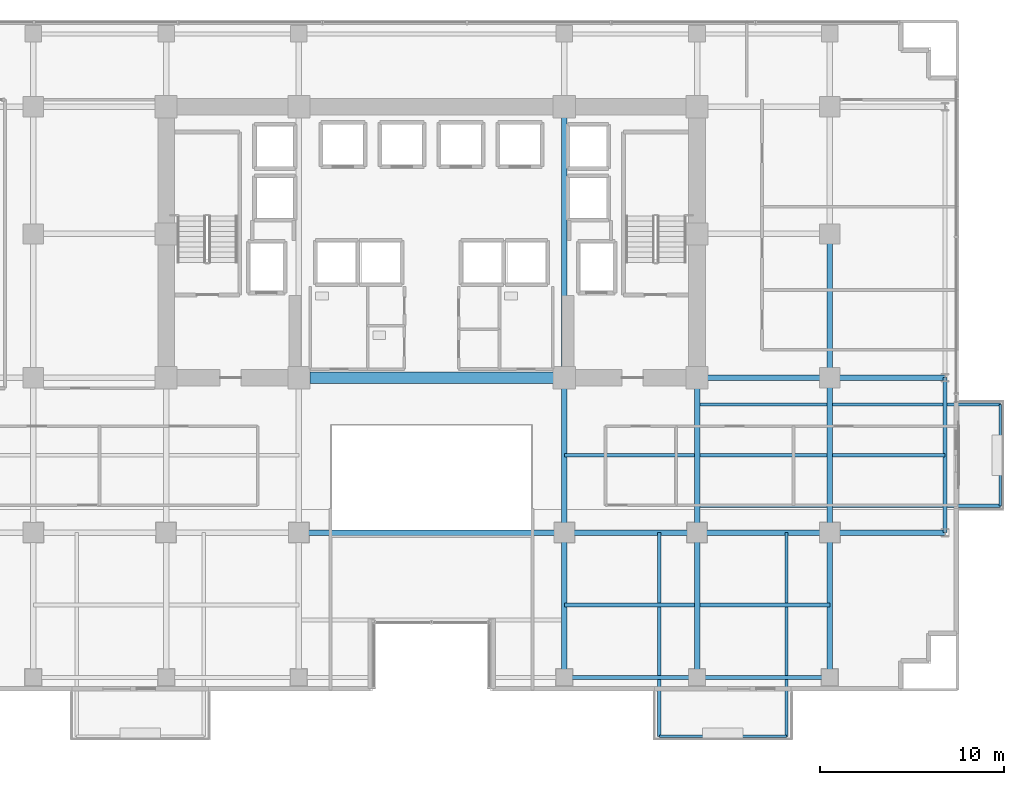
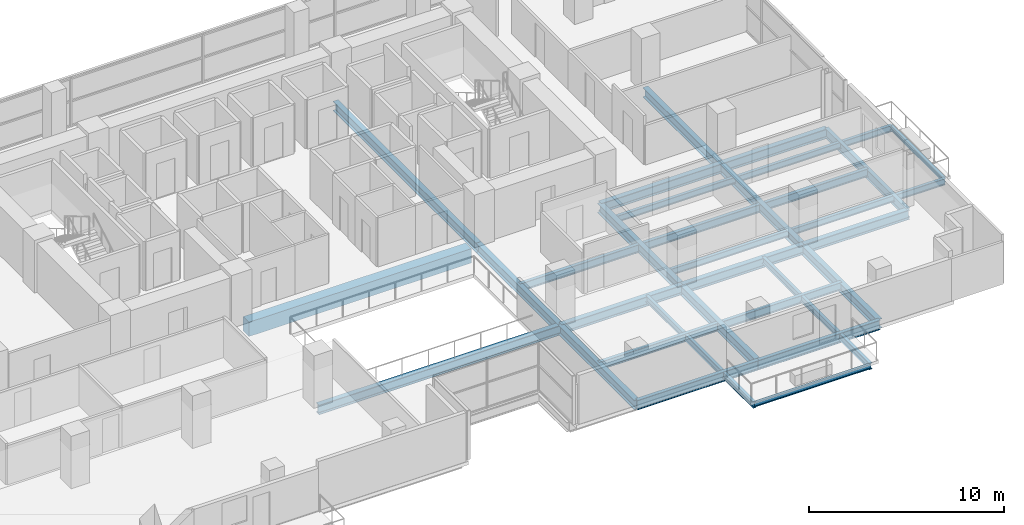
# One storey, part 13 of 30: 29 beams.
"""IFC4 building model written with IfcOpenShell, lengths in metres."""

import ifcopenshell
import ifcopenshell.guid

model = None  # the IFC model being written
_history = None  # IfcOwnerHistory: only IFC2X3 demands one
_inside = {}  # id of a spatial element -> (the spatial element, [elements in it])
_under = {}  # id of a project, library or spatial element -> (it, [spatial elements below it])
_declared = {}  # id of a project -> (the project, [libraries it declares])
_typed = {}  # id of a type object -> (the type object, [elements of that type])
_made_of = {}  # id of a material, layer set ... -> (it, [elements and type objects made of it])


def new_model(schema):
    """Start an empty IFC model of exactly this schema.

    Asked for "IFC4X3", IfcOpenShell would pick the latest addendum, in which some entities
    have other attributes; the version numbers below select the first issue.
    IFC2X3 requires an IfcOwnerHistory on every rooted entity: one is made here for all.
    """
    global model, _history
    if schema == "IFC4X3":
        model = ifcopenshell.file(schema_version=(4, 3, 0, 0))
    else:
        model = ifcopenshell.file(schema=schema)
    _inside.clear()
    _under.clear()
    _declared.clear()
    _typed.clear()
    _made_of.clear()
    _history = None
    if model.schema == "IFC2X3":
        org = make("IfcOrganization", Name="unknown")
        user = make(
            "IfcPersonAndOrganization",
            ThePerson=make("IfcPerson", FamilyName="unknown"),
            TheOrganization=org,
        )
        app = make(
            "IfcApplication",
            ApplicationDeveloper=org,
            Version="unknown",
            ApplicationFullName="unknown",
            ApplicationIdentifier="unknown",
        )
        _history = make(
            "IfcOwnerHistory",
            OwningUser=user,
            OwningApplication=app,
            ChangeAction="ADDED",
            CreationDate=0,
        )
    return model


def make(cls, **values):
    """One entity of the class cls with the attributes given. An attribute that is None is left unset."""
    return model.create_entity(
        cls, **{name: value for name, value in values.items() if value is not None}
    )


def rooted(cls, **values):
    """An entity with a GlobalId (a new one), such as an element, a storey or a relation."""
    return make(cls, GlobalId=ifcopenshell.guid.new(), OwnerHistory=_history, **values)


def si_unit(unit_type, name, prefix=None):
    """IfcSIUnit, for example si_unit("LENGTHUNIT", "METRE", prefix="MILLI")."""
    return make("IfcSIUnit", UnitType=unit_type, Prefix=prefix, Name=name)


def assignment(units):
    """IfcUnitAssignment: the units of a project."""
    return None if units is None else make("IfcUnitAssignment", Units=units)


def point(xyz):
    """IfcCartesianPoint."""
    return None if xyz is None else make("IfcCartesianPoint", Coordinates=xyz)


def direction(xyz):
    """IfcDirection."""
    return None if xyz is None else make("IfcDirection", DirectionRatios=xyz)


def frame(location, z_axis=None, x_axis=None):
    """IfcAxis2Placement3D, a coordinate frame: its origin and axes. An axis left out is left unset."""
    return make(
        "IfcAxis2Placement3D",
        Location=point(location),
        Axis=direction(z_axis),
        RefDirection=direction(x_axis),
    )


def frame_2d(location, x_axis=None):
    """IfcAxis2Placement2D, a coordinate frame in the plane: its origin and x axis."""
    return make(
        "IfcAxis2Placement2D", Location=point(location), RefDirection=direction(x_axis)
    )


def origin():
    """The frame at (0, 0, 0) with its axes left unset."""
    return frame((0.0, 0.0, 0.0))


def origin_2d():
    """The frame at (0, 0) in the plane with its x axis left unset."""
    return frame_2d((0.0, 0.0))


def place(relative_to, where):
    """IfcLocalPlacement: puts the frame where relative to a parent placement (None: the world)."""
    return make(
        "IfcLocalPlacement", PlacementRelTo=relative_to, RelativePlacement=where
    )


def context(
    kind, dimensions, precision=None, world=None, true_north=None, identifier=None
):
    """IfcGeometricRepresentationContext, for example the 3D "Model" context."""
    return make(
        "IfcGeometricRepresentationContext",
        ContextIdentifier=identifier,
        ContextType=kind,
        CoordinateSpaceDimension=dimensions,
        Precision=precision,
        WorldCoordinateSystem=world,
        TrueNorth=true_north,
    )


def subcontext(parent, identifier, kind, view, scale=None):
    """IfcGeometricRepresentationSubContext, for example "Body" below "Model"."""
    return make(
        "IfcGeometricRepresentationSubContext",
        ContextIdentifier=identifier,
        ContextType=kind,
        ParentContext=parent,
        TargetScale=scale,
        TargetView=view,
    )


def project(units=None, contexts=None):
    """IfcProject with its units and contexts."""
    return rooted(
        "IfcProject",
        Name="project",
        RepresentationContexts=contexts,
        UnitsInContext=assignment(units),
    )


def spatial(cls, under=None, at=None, **own):
    """A site, building, storey or space (cls), placed at a placement, below another one or the project."""
    s = rooted(cls, ObjectPlacement=at, **own)
    if under is not None:
        _under.setdefault(under.id(), (under, []))[1].append(s)
    return s


def profile(cls, at=None, kind="AREA", **sizes):
    """A parametric profile (cls). Its sizes go by their IFC names, for example OverallWidth=200.0."""
    return make(cls, ProfileType=kind, Position=at, **sizes)


def rectangle(**sizes):
    """IfcRectangleProfileDef."""
    return profile("IfcRectangleProfileDef", **sizes)


def i_section(**sizes):
    """IfcIShapeProfileDef."""
    return profile("IfcIShapeProfileDef", **sizes)


def extrude(swept, where, along, depth):
    """IfcExtrudedAreaSolid: the profile swept, set in the frame where, extruded along a direction by depth."""
    return make(
        "IfcExtrudedAreaSolid",
        SweptArea=swept,
        Position=where,
        ExtrudedDirection=direction(along),
        Depth=depth,
    )


def shape(context_of_items, identifier, shape_type, items):
    """IfcShapeRepresentation: the items that make up one representation, for example the "Body"."""
    return make(
        "IfcShapeRepresentation",
        ContextOfItems=context_of_items,
        RepresentationIdentifier=identifier,
        RepresentationType=shape_type,
        Items=items,
    )


def material(Name=None, Category=None):
    """IfcMaterial."""
    return make("IfcMaterial", Name=Name, Category=Category)


def material_profile(
    of_material, cross_section, Name=None, Category=None, Priority=None
):
    """IfcMaterialProfile: a cross section and its material."""
    return make(
        "IfcMaterialProfile",
        Name=Name,
        Material=of_material,
        Profile=cross_section,
        Priority=Priority,
        Category=Category,
    )


def profile_set(profiles, Name=None, composite=None):
    """IfcMaterialProfileSet."""
    return make(
        "IfcMaterialProfileSet",
        Name=Name,
        MaterialProfiles=profiles,
        CompositeProfile=composite,
    )


def made_of(thing, what):
    """Note that an element or type object is made of a material, layer set ...; save() writes the relation."""
    if what is not None:
        _made_of.setdefault(what.id(), (what, []))[1].append(thing)
    return thing


def type_object(cls, material=None, **own):
    """A type object (cls), such as IfcWallType, which elements share."""
    return made_of(rooted(cls, **own), material)


def element(
    cls,
    number,
    at=None,
    inside=None,
    cuts=None,
    type_object=None,
    material=None,
    context=None,
    identifier="Body",
    shape_type=None,
    held_by="IfcProductDefinitionShape",
    body=None,
    shapes=None,
    **own,
):
    """One element of the class cls, such as IfcWall. Its Tag is "e" and its number.

    at: its placement. inside: the storey or other place that contains it. cuts: it is an
    opening in that element (IfcRelVoidsElement). A single representation is given by context,
    identifier, shape_type and body (its items); several are given by shapes. held_by: the class
    of the entity that holds the representations. save() writes the other relations.
    """
    e = rooted(cls, Tag="e%d" % number, ObjectPlacement=at, **own)
    if body is not None:
        shapes = [shape(context, identifier, shape_type, body)]
    if shapes is not None:
        e.Representation = make(held_by, Representations=shapes)
    if inside is not None:
        _inside.setdefault(inside.id(), (inside, []))[1].append(e)
    if cuts is not None:
        rooted(
            "IfcRelVoidsElement", RelatingBuildingElement=cuts, RelatedOpeningElement=e
        )
    if type_object is not None:
        _typed.setdefault(type_object.id(), (type_object, []))[1].append(e)
    return made_of(e, material)


def aggregate(whole, parts):
    """IfcRelAggregates: a whole, such as a stair, and the parts it consists of."""
    return rooted("IfcRelAggregates", RelatingObject=whole, RelatedObjects=parts)


def save(model, path):
    """Write the relations noted so far, then the file.

    IfcRelAggregates (storeys below a building ...), IfcRelContainedInSpatialStructure (elements
    in a storey), IfcRelDefinesByType, IfcRelAssociatesMaterial and IfcRelDeclares: one each for
    every whole, place, type object, material and project.
    """
    for whole, parts in _under.values():
        aggregate(whole, parts)
    for where, things in _inside.values():
        rooted(
            "IfcRelContainedInSpatialStructure",
            RelatedElements=things,
            RelatingStructure=where,
        )
    for kind, things in _typed.values():
        rooted("IfcRelDefinesByType", RelatedObjects=things, RelatingType=kind)
    for what, things in _made_of.values():
        rooted("IfcRelAssociatesMaterial", RelatedObjects=things, RelatingMaterial=what)
    for by, libraries in _declared.values():
        rooted("IfcRelDeclares", RelatingContext=by, RelatedDefinitions=libraries)
    model.write(path)


model = new_model("IFC4")

# Units and contexts
model_context = context("Model", 3, precision=1e-05, world=origin(), true_north=direction((0.0, 1.0)))
body_context = subcontext(model_context, "Body", "Model", "MODEL_VIEW")
ifc_project = project(units=[si_unit("LENGTHUNIT", "METRE"), si_unit("AREAUNIT", "SQUARE_METRE"), si_unit("VOLUMEUNIT", "CUBIC_METRE"), si_unit("PLANEANGLEUNIT", "RADIAN"), si_unit("MASSUNIT", "GRAM", prefix="KILO")], contexts=[model_context])

# Site, building, storey
site_placement = place(None, origin())
site = spatial("IfcSite", under=ifc_project, at=site_placement, CompositionType="ELEMENT")
building_placement = place(site_placement, origin())
building = spatial("IfcBuilding", under=site, at=building_placement, Name="Zarnakvel Exchange Tower", CompositionType="ELEMENT")
storey_placement = place(building_placement, frame((0.0, 0.0, 43.89990234375)))
storey = spatial("IfcBuildingStorey", under=building, at=storey_placement, Name="L11", CompositionType="ELEMENT", Elevation=43.89990234375)

# Beams
ifc_material_1 = material(Name="Steel S355", Category="steel")
ifc_material_profile_1 = material_profile(ifc_material_1, i_section(OverallWidth=0.199951171875, OverallDepth=0.5, WebThickness=0.01025390625, FlangeThickness=0.01611328125, FilletRadius=0.02099609375, at=origin_2d()))
ifc_profile_set_1 = profile_set([ifc_material_profile_1], Name="Steel S355")
beam_type_1 = type_object("IfcBeamType", Name="B-04", PredefinedType="JOIST", material=ifc_profile_set_1)
for number, where, z_axis, x_axis, name in (
    (1, (7.199951171875, -13.52490234375, -0.474853515625), (1.0, 0.0, 0.0), (0.0, 1.0, 0.0), "L11 Composite Floor Secondary Joist"),
    (2, (14.550048828125, -13.52490234375, -0.474853515625), (1.0, 0.0, 0.0), (0.0, 1.0, 0.0), "L11 Composite Floor Secondary Joist"),
    (3, (7.199951171875, -5.39990234375, -0.474853515625), (1.0, 0.0, 0.0), (0.0, 1.0, 0.0), "L11 Composite Floor Secondary Joist"),
):
    element("IfcBeam", number, at=place(storey_placement, frame(where, z_axis=z_axis, x_axis=x_axis)), inside=storey, type_object=beam_type_1, Name=name, PredefinedType="JOIST", context=body_context, shape_type="SweptSolid", body=[
        extrude(i_section(OverallWidth=0.199951171875, OverallDepth=0.5, WebThickness=0.01025390625, FlangeThickness=0.01611328125, FilletRadius=0.02099609375, at=origin_2d()), origin(), (0.0, 0.0, 1.0), 7.050048828125),
    ])
beam_1_placement = place(storey_placement, frame((14.550048828125, -5.39990234375, -0.474853515625), z_axis=(1.0, 0.0, 0.0), x_axis=(0.0, 1.0, 0.0)))
element("IfcBeam", 4, at=beam_1_placement, inside=storey, type_object=beam_type_1, Name="L11 Composite Floor Secondary Joist", PredefinedType="JOIST", context=body_context, shape_type="SweptSolid", body=[
    extrude(i_section(OverallWidth=0.199951171875, OverallDepth=0.5, WebThickness=0.01025390625, FlangeThickness=0.01611328125, FilletRadius=0.02099609375, at=origin_2d()), origin(), (0.0, 0.0, 1.0), 6.89990234375),
])
beam_2_placement = place(storey_placement, frame((21.75, -5.39990234375, -0.474853515625), z_axis=(1.0, 0.0, 0.0), x_axis=(0.0, 1.0, 0.0)))
element("IfcBeam", 5, at=beam_2_placement, inside=storey, type_object=beam_type_1, Name="L11 Composite Floor Secondary Joist", PredefinedType="JOIST", context=body_context, shape_type="SweptSolid", body=[
    extrude(i_section(OverallWidth=0.199951171875, OverallDepth=0.5, WebThickness=0.01025390625, FlangeThickness=0.01611328125, FilletRadius=0.02099609375, at=origin_2d()), origin(), (0.0, 0.0, 1.0), 6.10009765625),
])
ifc_material_profile_2 = material_profile(ifc_material_1, i_section(OverallWidth=0.179931640625, OverallDepth=0.39990234375, WebThickness=0.008544921875, FlangeThickness=0.013427734375, FilletRadius=0.02099609375, at=origin_2d()))
ifc_profile_set_2 = profile_set([ifc_material_profile_2], Name="Steel S355")
beam_type_2 = type_object("IfcBeamType", Name="B-06", PredefinedType="JOIST", material=ifc_profile_set_2)
for number, where, z_axis, x_axis, name in (
    (6, (12.35009765625, -9.60009765625, -0.4248046875), (0.0, -1.0, 0.0), (1.0, 0.0, 0.0), "L11 Continuous Back-Spanned Balcony Beam W"),
    (7, (19.25, -9.60009765625, -0.4248046875), (0.0, -1.0, 0.0), (1.0, 0.0, 0.0), "L11 Continuous Back-Spanned Balcony Beam E"),
):
    element("IfcBeam", number, at=place(storey_placement, frame(where, z_axis=z_axis, x_axis=x_axis)), inside=storey, type_object=beam_type_2, Name=name, PredefinedType="JOIST", context=body_context, shape_type="SweptSolid", body=[
        extrude(i_section(OverallWidth=0.179931640625, OverallDepth=0.39990234375, WebThickness=0.008544921875, FlangeThickness=0.013427734375, FilletRadius=0.02099609375, at=origin_2d()), origin(), (0.0, 0.0, 1.0), 11.0498046875),
    ])
for number, where, z_axis, x_axis, name in (
    (8, (14.39990234375, -8.14990234375, -0.4248046875), (1.0, 0.0, 0.0), (0.0, 1.0, 0.0), "L11 Continuous East Loggia Beam S"),
    (9, (14.39990234375, -2.64990234375, -0.4248046875), (1.0, 0.0, 0.0), (0.0, 1.0, 0.0), "L11 Continuous East Loggia Beam N"),
):
    element("IfcBeam", number, at=place(storey_placement, frame(where, z_axis=z_axis, x_axis=x_axis)), inside=storey, type_object=beam_type_2, Name=name, PredefinedType="JOIST", context=body_context, shape_type="SweptSolid", body=[
        extrude(i_section(OverallWidth=0.179931640625, OverallDepth=0.39990234375, WebThickness=0.008544921875, FlangeThickness=0.013427734375, FilletRadius=0.02099609375, at=origin_2d()), origin(), (0.0, 0.0, 1.0), 16.4501953125),
    ])
ifc_material_profile_3 = material_profile(ifc_material_1, i_section(OverallWidth=0.14990234375, OverallDepth=0.300048828125, WebThickness=0.007080078125, FlangeThickness=0.0107421875, FilletRadius=0.014892578125, at=origin_2d()))
ifc_profile_set_3 = profile_set([ifc_material_profile_3], Name="Steel S355")
beam_type_3 = type_object("IfcBeamType", Name="B-08", PredefinedType="JOIST", material=ifc_profile_set_3)
beam_3_placement = place(storey_placement, frame((12.35009765625, -20.64990234375, -0.375), z_axis=(1.0, 0.0, 0.0), x_axis=(0.0, 1.0, 0.0)))
element("IfcBeam", 10, at=beam_3_placement, inside=storey, type_object=beam_type_3, Name="L11 Balcony Edge Beam", PredefinedType="JOIST", context=body_context, shape_type="SweptSolid", body=[
    extrude(i_section(OverallWidth=0.14990234375, OverallDepth=0.300048828125, WebThickness=0.007080078125, FlangeThickness=0.0107421875, FilletRadius=0.014892578125, at=origin_2d()), origin(), (0.0, 0.0, 1.0), 6.89990234375),
])
beam_4_placement = place(storey_placement, frame((30.85009765625, -8.14990234375, -0.375), z_axis=(0.0, 1.0, 0.0), x_axis=(-1.0, 0.0, 0.0)))
element("IfcBeam", 11, at=beam_4_placement, inside=storey, type_object=beam_type_3, Name="L11 East Loggia Edge Beam", PredefinedType="JOIST", context=body_context, shape_type="SweptSolid", body=[
    extrude(i_section(OverallWidth=0.14990234375, OverallDepth=0.300048828125, WebThickness=0.007080078125, FlangeThickness=0.0107421875, FilletRadius=0.014892578125, at=origin_2d()), origin(), (0.0, 0.0, 1.0), 5.5),
])
ifc_material_2 = material(Name="Concrete C80/95", Category="concrete")
ifc_material_profile_4 = material_profile(ifc_material_2, rectangle(XDim=0.60009765625, YDim=0.89990234375, at=origin_2d()))
ifc_profile_set_4 = profile_set([ifc_material_profile_4], Name="Concrete C80/95")
beam_type_4 = type_object("IfcBeamType", Name="CB-01", PredefinedType="LINTEL", material=ifc_profile_set_4)
beam_5_placement = place(storey_placement, frame((-6.60009765625, -1.199951171875, -0.6748046875), z_axis=(1.0, 0.0, 0.0), x_axis=(0.0, 1.0, 0.0)))
element("IfcBeam", 12, at=beam_5_placement, inside=storey, type_object=beam_type_4, Name="L11 Rear Core South Coupling Beam (CB-01)", PredefinedType="LINTEL", context=body_context, shape_type="SweptSolid", body=[
    extrude(rectangle(XDim=0.60009765625, YDim=0.89990234375, at=origin_2d()), origin(), (0.0, 0.0, 1.0), 13.2001953125),
])
ifc_material_profile_5 = material_profile(ifc_material_1, i_section(OverallWidth=0.300048828125, OverallDepth=0.60009765625, WebThickness=0.015380859375, FlangeThickness=0.030029296875, FilletRadius=0.027099609375, at=origin_2d()))
ifc_profile_set_5 = profile_set([ifc_material_profile_5], Name="Steel S355")
beam_type_5 = type_object("IfcBeamType", Name="G-04", PredefinedType="BEAM", material=ifc_profile_set_5)
beam_6_placement = place(storey_placement, frame((-7.199951171875, -9.60009765625, -0.52490234375), z_axis=(1.0, 0.0, 0.0), x_axis=(0.0, 1.0, 0.0)))
element("IfcBeam", 13, at=beam_6_placement, inside=storey, type_object=beam_type_5, Name="L11 Tower E-W Frame Beam", PredefinedType="BEAM", context=body_context, shape_type="SweptSolid", body=[
    extrude(i_section(OverallWidth=0.300048828125, OverallDepth=0.60009765625, WebThickness=0.015380859375, FlangeThickness=0.030029296875, FilletRadius=0.027099609375, at=origin_2d()), origin(), (0.0, 0.0, 1.0), 14.39990234375),
])
beam_7_placement = place(storey_placement, frame((7.199951171875, -9.60009765625, -0.52490234375), z_axis=(1.0, 0.0, 0.0), x_axis=(0.0, 1.0, 0.0)))
element("IfcBeam", 14, at=beam_7_placement, inside=storey, type_object=beam_type_5, Name="L11 Tower E-W Frame Beam", PredefinedType="BEAM", context=body_context, shape_type="SweptSolid", body=[
    extrude(i_section(OverallWidth=0.300048828125, OverallDepth=0.60009765625, WebThickness=0.015380859375, FlangeThickness=0.030029296875, FilletRadius=0.027099609375, at=origin_2d()), origin(), (0.0, 0.0, 1.0), 7.199951171875),
])
beam_8_placement = place(storey_placement, frame((14.39990234375, -9.60009765625, -0.52490234375), z_axis=(1.0, 0.0, 0.0), x_axis=(0.0, 1.0, 0.0)))
element("IfcBeam", 15, at=beam_8_placement, inside=storey, type_object=beam_type_5, Name="L11 Tower E-W Frame Beam", PredefinedType="BEAM", context=body_context, shape_type="SweptSolid", body=[
    extrude(i_section(OverallWidth=0.300048828125, OverallDepth=0.60009765625, WebThickness=0.015380859375, FlangeThickness=0.030029296875, FilletRadius=0.027099609375, at=origin_2d()), origin(), (0.0, 0.0, 1.0), 7.2001953125),
])
beam_9_placement = place(storey_placement, frame((21.60009765625, -9.60009765625, -0.52490234375), z_axis=(1.0, 0.0, 0.0), x_axis=(0.0, 1.0, 0.0)))
element("IfcBeam", 16, at=beam_9_placement, inside=storey, type_object=beam_type_5, Name="L11 Tower E-W Frame Beam", PredefinedType="BEAM", context=body_context, shape_type="SweptSolid", body=[
    extrude(i_section(OverallWidth=0.300048828125, OverallDepth=0.60009765625, WebThickness=0.015380859375, FlangeThickness=0.030029296875, FilletRadius=0.027099609375, at=origin_2d()), origin(), (0.0, 0.0, 1.0), 6.25),
])
beam_10_placement = place(storey_placement, frame((14.39990234375, -1.199951171875, -0.52490234375), z_axis=(1.0, 0.0, 0.0), x_axis=(0.0, 1.0, 0.0)))
element("IfcBeam", 17, at=beam_10_placement, inside=storey, type_object=beam_type_5, Name="L11 Tower E-W Frame Beam", PredefinedType="BEAM", context=body_context, shape_type="SweptSolid", body=[
    extrude(i_section(OverallWidth=0.300048828125, OverallDepth=0.60009765625, WebThickness=0.015380859375, FlangeThickness=0.030029296875, FilletRadius=0.027099609375, at=origin_2d()), origin(), (0.0, 0.0, 1.0), 7.2001953125),
])
beam_11_placement = place(storey_placement, frame((21.60009765625, -1.199951171875, -0.52490234375), z_axis=(1.0, 0.0, 0.0), x_axis=(0.0, 1.0, 0.0)))
element("IfcBeam", 18, at=beam_11_placement, inside=storey, type_object=beam_type_5, Name="L11 Tower E-W Frame Beam", PredefinedType="BEAM", context=body_context, shape_type="SweptSolid", body=[
    extrude(i_section(OverallWidth=0.300048828125, OverallDepth=0.60009765625, WebThickness=0.015380859375, FlangeThickness=0.030029296875, FilletRadius=0.027099609375, at=origin_2d()), origin(), (0.0, 0.0, 1.0), 6.25),
])
beam_12_placement = place(storey_placement, frame((7.199951171875, -17.449951171875, -0.52490234375), z_axis=(0.0, 1.0, 0.0), x_axis=(-1.0, 0.0, 0.0)))
element("IfcBeam", 19, at=beam_12_placement, inside=storey, type_object=beam_type_5, Name="L11 Tower N-S Frame Beam", PredefinedType="BEAM", context=body_context, shape_type="SweptSolid", body=[
    extrude(i_section(OverallWidth=0.300048828125, OverallDepth=0.60009765625, WebThickness=0.015380859375, FlangeThickness=0.030029296875, FilletRadius=0.027099609375, at=origin_2d()), origin(), (0.0, 0.0, 1.0), 7.849853515625),
])
beam_13_placement = place(storey_placement, frame((7.199951171875, -9.60009765625, -0.52490234375), z_axis=(0.0, 1.0, 0.0), x_axis=(-1.0, 0.0, 0.0)))
element("IfcBeam", 20, at=beam_13_placement, inside=storey, type_object=beam_type_5, Name="L11 Tower N-S Frame Beam", PredefinedType="BEAM", context=body_context, shape_type="SweptSolid", body=[
    extrude(i_section(OverallWidth=0.300048828125, OverallDepth=0.60009765625, WebThickness=0.015380859375, FlangeThickness=0.030029296875, FilletRadius=0.027099609375, at=origin_2d()), origin(), (0.0, 0.0, 1.0), 8.400146484375),
])
beam_14_placement = place(storey_placement, frame((7.199951171875, -1.199951171875, -0.52490234375), z_axis=(0.0, 1.0, 0.0), x_axis=(-1.0, 0.0, 0.0)))
element("IfcBeam", 21, at=beam_14_placement, inside=storey, type_object=beam_type_5, Name="L11 Tower N-S Frame Beam", PredefinedType="BEAM", context=body_context, shape_type="SweptSolid", body=[
    extrude(i_section(OverallWidth=0.300048828125, OverallDepth=0.60009765625, WebThickness=0.015380859375, FlangeThickness=0.030029296875, FilletRadius=0.027099609375, at=origin_2d()), origin(), (0.0, 0.0, 1.0), 14.699951171875),
])
beam_15_placement = place(storey_placement, frame((14.39990234375, -17.449951171875, -0.52490234375), z_axis=(0.0, 1.0, 0.0), x_axis=(-1.0, 0.0, 0.0)))
element("IfcBeam", 22, at=beam_15_placement, inside=storey, type_object=beam_type_5, Name="L11 Tower N-S Frame Beam", PredefinedType="BEAM", context=body_context, shape_type="SweptSolid", body=[
    extrude(i_section(OverallWidth=0.300048828125, OverallDepth=0.60009765625, WebThickness=0.015380859375, FlangeThickness=0.030029296875, FilletRadius=0.027099609375, at=origin_2d()), origin(), (0.0, 0.0, 1.0), 7.849853515625),
])
beam_16_placement = place(storey_placement, frame((14.39990234375, -9.60009765625, -0.52490234375), z_axis=(0.0, 1.0, 0.0), x_axis=(-1.0, 0.0, 0.0)))
element("IfcBeam", 23, at=beam_16_placement, inside=storey, type_object=beam_type_5, Name="L11 Tower N-S Frame Beam", PredefinedType="BEAM", context=body_context, shape_type="SweptSolid", body=[
    extrude(i_section(OverallWidth=0.300048828125, OverallDepth=0.60009765625, WebThickness=0.015380859375, FlangeThickness=0.030029296875, FilletRadius=0.027099609375, at=origin_2d()), origin(), (0.0, 0.0, 1.0), 8.400146484375),
])
beam_17_placement = place(storey_placement, frame((21.60009765625, -17.449951171875, -0.52490234375), z_axis=(0.0, 1.0, 0.0), x_axis=(-1.0, 0.0, 0.0)))
element("IfcBeam", 24, at=beam_17_placement, inside=storey, type_object=beam_type_5, Name="L11 Tower N-S Frame Beam", PredefinedType="BEAM", context=body_context, shape_type="SweptSolid", body=[
    extrude(i_section(OverallWidth=0.300048828125, OverallDepth=0.60009765625, WebThickness=0.015380859375, FlangeThickness=0.030029296875, FilletRadius=0.027099609375, at=origin_2d()), origin(), (0.0, 0.0, 1.0), 7.849853515625),
])
beam_18_placement = place(storey_placement, frame((21.60009765625, -9.60009765625, -0.52490234375), z_axis=(0.0, 1.0, 0.0), x_axis=(-1.0, 0.0, 0.0)))
element("IfcBeam", 25, at=beam_18_placement, inside=storey, type_object=beam_type_5, Name="L11 Tower N-S Frame Beam", PredefinedType="BEAM", context=body_context, shape_type="SweptSolid", body=[
    extrude(i_section(OverallWidth=0.300048828125, OverallDepth=0.60009765625, WebThickness=0.015380859375, FlangeThickness=0.030029296875, FilletRadius=0.027099609375, at=origin_2d()), origin(), (0.0, 0.0, 1.0), 8.400146484375),
])
beam_19_placement = place(storey_placement, frame((21.60009765625, -1.199951171875, -0.52490234375), z_axis=(0.0, 1.0, 0.0), x_axis=(-1.0, 0.0, 0.0)))
element("IfcBeam", 26, at=beam_19_placement, inside=storey, type_object=beam_type_5, Name="L11 Tower N-S Frame Beam", PredefinedType="BEAM", context=body_context, shape_type="SweptSolid", body=[
    extrude(i_section(OverallWidth=0.300048828125, OverallDepth=0.60009765625, WebThickness=0.015380859375, FlangeThickness=0.030029296875, FilletRadius=0.027099609375, at=origin_2d()), origin(), (0.0, 0.0, 1.0), 7.800048828125),
])
ifc_material_profile_6 = material_profile(ifc_material_1, i_section(OverallWidth=0.219970703125, OverallDepth=0.60009765625, WebThickness=0.011962890625, FlangeThickness=0.01904296875, FilletRadius=0.02392578125, at=origin_2d()))
ifc_profile_set_6 = profile_set([ifc_material_profile_6], Name="Steel S355")
beam_type_6 = type_object("IfcBeamType", Name="SP-01", PredefinedType="SPANDREL", material=ifc_profile_set_6)
beam_20_placement = place(storey_placement, frame((7.199951171875, -17.449951171875, -0.52490234375), z_axis=(1.0, 0.0, 0.0), x_axis=(0.0, 1.0, 0.0)))
element("IfcBeam", 27, at=beam_20_placement, inside=storey, type_object=beam_type_6, Name="L11 Tower E-W Frame Beam", PredefinedType="SPANDREL", context=body_context, shape_type="SweptSolid", body=[
    extrude(i_section(OverallWidth=0.219970703125, OverallDepth=0.60009765625, WebThickness=0.011962890625, FlangeThickness=0.01904296875, FilletRadius=0.02392578125, at=origin_2d()), origin(), (0.0, 0.0, 1.0), 7.199951171875),
])
beam_21_placement = place(storey_placement, frame((14.39990234375, -17.449951171875, -0.52490234375), z_axis=(1.0, 0.0, 0.0), x_axis=(0.0, 1.0, 0.0)))
element("IfcBeam", 28, at=beam_21_placement, inside=storey, type_object=beam_type_6, Name="L11 Tower E-W Frame Beam", PredefinedType="SPANDREL", context=body_context, shape_type="SweptSolid", body=[
    extrude(i_section(OverallWidth=0.219970703125, OverallDepth=0.60009765625, WebThickness=0.011962890625, FlangeThickness=0.01904296875, FilletRadius=0.02392578125, at=origin_2d()), origin(), (0.0, 0.0, 1.0), 7.2001953125),
])
beam_22_placement = place(storey_placement, frame((27.85009765625, -9.60009765625, -0.52490234375), z_axis=(0.0, 1.0, 0.0), x_axis=(-1.0, 0.0, 0.0)))
element("IfcBeam", 29, at=beam_22_placement, inside=storey, type_object=beam_type_6, Name="L11 Tower N-S Frame Beam", PredefinedType="SPANDREL", context=body_context, shape_type="SweptSolid", body=[
    extrude(i_section(OverallWidth=0.219970703125, OverallDepth=0.60009765625, WebThickness=0.011962890625, FlangeThickness=0.01904296875, FilletRadius=0.02392578125, at=origin_2d()), origin(), (0.0, 0.0, 1.0), 8.400146484375),
])

save(model, "model.ifc")
